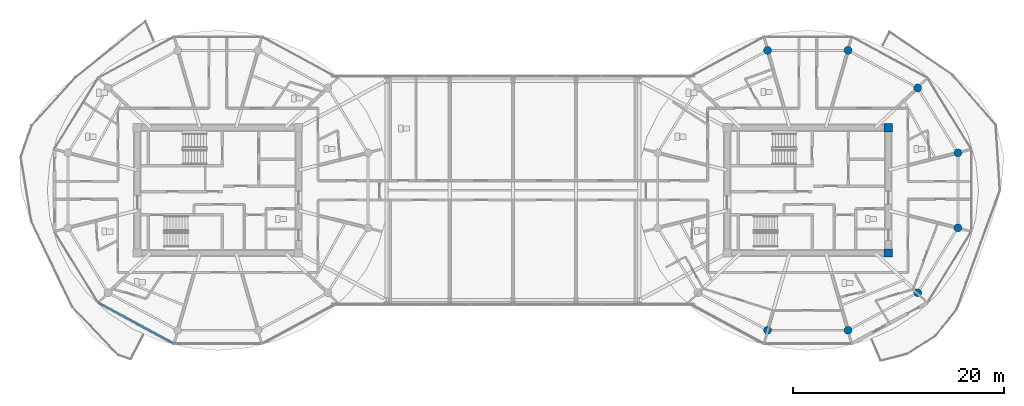
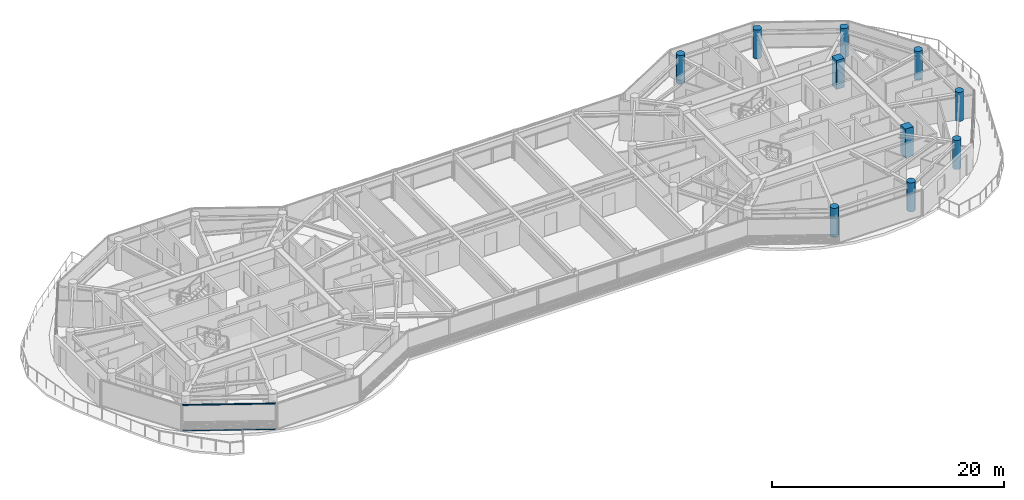
# One storey, part 2 of 26: 10 columns, 2 members, 1 element without a shape of its own.
"""IFC4 building model written with IfcOpenShell, lengths in metres."""

from ifc_helpers import new_model, si_unit, direction, frame, origin, origin_2d, place, context, subcontext, project, spatial, rectangle, circle, extrude, source, transform, mapped, material, layer, layer_set, material_profile, profile_set, type_object, type_shapes, element, aggregate, save


model = new_model("IFC4")

# Units and contexts
model_context = context("Model", 3, precision=1e-05, world=origin(), true_north=direction((0.0, 1.0)))
body_context = subcontext(model_context, "Body", "Model", "MODEL_VIEW")
ifc_project = project(units=[si_unit("LENGTHUNIT", "METRE"), si_unit("AREAUNIT", "SQUARE_METRE"), si_unit("VOLUMEUNIT", "CUBIC_METRE"), si_unit("PLANEANGLEUNIT", "RADIAN"), si_unit("MASSUNIT", "GRAM", prefix="KILO")], contexts=[model_context])

# Site, building, storey
site_placement = place(None, origin())
site = spatial("IfcSite", under=ifc_project, at=site_placement, CompositionType="ELEMENT")
building_placement = place(site_placement, origin())
building = spatial("IfcBuilding", under=site, at=building_placement, Name="Norrkilde Senior Care Towers", CompositionType="ELEMENT")
storey_placement = place(building_placement, frame((0.0, 0.0, 210.85009765625)))
storey = spatial("IfcBuildingStorey", under=building, at=storey_placement, Name="L65", CompositionType="ELEMENT", Elevation=210.85009765625)

# Columns
ifc_material_1 = material(Name="Concrete C60/75", Category="concrete")
ifc_material_profile_1 = material_profile(ifc_material_1, rectangle(XDim=0.800048828125, YDim=0.800048828125, at=origin_2d()), Name="RC COL 800x800")
ifc_profile_set_1 = profile_set([ifc_material_profile_1], Name="Concrete C60/75")
column_type_1 = type_object("IfcColumnType", Name="Column Core Corner Z3-Z4 800", PredefinedType="COLUMN", material=ifc_profile_set_1)
shared_shape_1 = source(origin(), body_context, "Body", "SweptSolid", [
    extrude(rectangle(XDim=0.800048828125, YDim=0.800048828125, at=origin_2d()), origin(), (0.0, 0.0, 1.0), 3.0498046875),
])
type_shapes(column_type_1, [shared_shape_1])
for number, where, z_axis, x_axis, name in (
    (1, (35.64990234375, -5.949951171875, 0.0), (0.0, 0.0, 1.0), (1.0, 0.0, 0.0), "L65 Core E Corner Column 2"),
    (2, (35.64990234375, 5.949951171875, 0.0), (0.0, 0.0, 1.0), (1.0, 0.0, 0.0), "L65 Core E Corner Column 3"),
):
    element("IfcColumn", number, at=place(storey_placement, frame(where, z_axis=z_axis, x_axis=x_axis)), inside=storey, type_object=column_type_1, Name=name, PredefinedType="COLUMN", context=body_context, shape_type="MappedRepresentation", body=[
        mapped(shared_shape_1, transform((0.0, 0.0, 0.0), x_axis=(1.0, 0.0, 0.0), y_axis=(0.0, 1.0, 0.0), z_axis=(0.0, 0.0, 1.0), scale=1.0)),
    ])
ifc_material_2 = material(Name="Concrete C50/60", Category="concrete")
ifc_material_profile_2 = material_profile(ifc_material_2, circle(Radius=0.375, at=origin_2d()), Name="RC CIR 750")
ifc_profile_set_2 = profile_set([ifc_material_profile_2], Name="Concrete C50/60")
column_type_2 = type_object("IfcColumnType", Name="Column Perimeter Z4 750", PredefinedType="COLUMN", material=ifc_profile_set_2)
shared_shape_2 = source(origin(), body_context, "Body", "SweptSolid", [
    extrude(circle(Radius=0.375, at=origin_2d()), origin(), (0.0, 0.0, 1.0), 3.0498046875),
])
type_shapes(column_type_2, [shared_shape_2])
for number, where, z_axis, x_axis, name in (
    (3, (42.247314453125, 3.558837890625, 0.0), (0.0, 0.0, 1.0), (1.0, 0.0, 0.0), "L65 Drum E Perimeter Column 01"),
    (4, (38.429931640625, 9.72265625, 0.0), (0.0, 0.0, 1.0), (1.0, 0.0, 0.0), "L65 Drum E Perimeter Column 02"),
    (5, (31.817626953125, 13.281494140625, 0.0), (0.0, 0.0, 1.0), (1.0, 0.0, 0.0), "L65 Drum E Perimeter Column 03"),
    (6, (24.182373046875, 13.281494140625, 0.0), (0.0, 0.0, 1.0), (1.0, 0.0, 0.0), "L65 Drum E Perimeter Column 04"),
    (7, (24.182373046875, -13.281494140625, 0.0), (0.0, 0.0, 1.0), (1.0, 0.0, 0.0), "L65 Drum E Perimeter Column 09"),
    (8, (31.817626953125, -13.281494140625, 0.0), (0.0, 0.0, 1.0), (1.0, 0.0, 0.0), "L65 Drum E Perimeter Column 10"),
    (9, (38.429931640625, -9.72265625, 0.0), (0.0, 0.0, 1.0), (1.0, 0.0, 0.0), "L65 Drum E Perimeter Column 11"),
    (10, (42.247314453125, -3.558837890625, 0.0), (0.0, 0.0, 1.0), (1.0, 0.0, 0.0), "L65 Drum E Perimeter Column 12"),
):
    element("IfcColumn", number, at=place(storey_placement, frame(where, z_axis=z_axis, x_axis=x_axis)), inside=storey, type_object=column_type_2, Name=name, PredefinedType="COLUMN", context=body_context, shape_type="MappedRepresentation", body=[
        mapped(shared_shape_2, transform((0.0, 0.0, 0.0), x_axis=(1.0, 0.0, 0.0), y_axis=(0.0, 1.0, 0.0), z_axis=(0.0, 0.0, 1.0), scale=1.0)),
    ])

# Curtain wall, members
ifc_material_3 = material(Name="Triple Low-E Insulated Glazing", Category="glass")
ifc_layer = layer(ifc_material_3, 0.18505859375)
ifc_layer_set = layer_set([ifc_layer], Name="Triple Low-E Insulated Glazing")
curtain_wall_type = type_object("IfcCurtainWallType", Name="CW6 Zone 4 Crown Pavilion Curtain Wall", PredefinedType="NOTDEFINED", material=ifc_layer_set)
curtain_wall_placement = place(storey_placement, origin())
curtain_wall = element("IfcCurtainWall", 11, at=curtain_wall_placement, inside=storey, type_object=curtain_wall_type, Name="L65 Drum W Curtain Wall 07", PredefinedType="NOTDEFINED")
ifc_material_4 = material(Name="Anodised Aluminium", Category="aluminium")
ifc_material_profile_3 = material_profile(ifc_material_4, rectangle(XDim=0.06005859375, YDim=0.1201171875, at=origin_2d()), Name="ALU TRAN 60x120")
ifc_profile_set_3 = profile_set([ifc_material_profile_3], Name="Anodised Aluminium")
member_type = type_object("IfcMemberType", Name="Curtain Wall Transom Typical 60x120", PredefinedType="USERDEFINED", material=ifc_profile_set_3)
shared_shape_3 = source(origin(), body_context, "Body", "SweptSolid", [
    extrude(rectangle(XDim=0.06005859375, YDim=0.1201171875, at=origin_2d()), origin(), (0.0, 0.0, 1.0), 8.0673828125),
])
type_shapes(member_type, [shared_shape_3])
member_1_placement = place(storey_placement, frame((-32.218994140625, -14.53515625, 0.02978515625), z_axis=(-0.87937750072, 0.476125205411, 0.0), x_axis=(-0.476125205411, -0.87937750072, 0.0)))
member_1 = element("IfcMember", 12, at=member_1_placement, type_object=member_type, Name="CW-6 transom 1.1", ObjectType="TRANSOM", PredefinedType="USERDEFINED", context=body_context, shape_type="MappedRepresentation", body=[
    mapped(shared_shape_3, transform((0.0, 0.0, 0.0), x_axis=(1.0, 0.0, 0.0), y_axis=(0.0, 1.0, 0.0), z_axis=(0.0, 0.0, 1.0), scale=1.0)),
])
member_2_placement = place(storey_placement, frame((-32.218994140625, -14.53515625, 2.72998046875), z_axis=(-0.87937750072, 0.476125205411, 0.0), x_axis=(-0.476125205411, -0.87937750072, 0.0)))
member_2 = element("IfcMember", 13, at=member_2_placement, type_object=member_type, Name="CW-6 transom 1.2", ObjectType="TRANSOM", PredefinedType="USERDEFINED", context=body_context, shape_type="MappedRepresentation", body=[
    mapped(shared_shape_3, transform((0.0, 0.0, 0.0), x_axis=(1.0, 0.0, 0.0), y_axis=(0.0, 1.0, 0.0), z_axis=(0.0, 0.0, 1.0), scale=1.0)),
])
aggregate(curtain_wall, [member_1, member_2])

save(model, "model.ifc")
